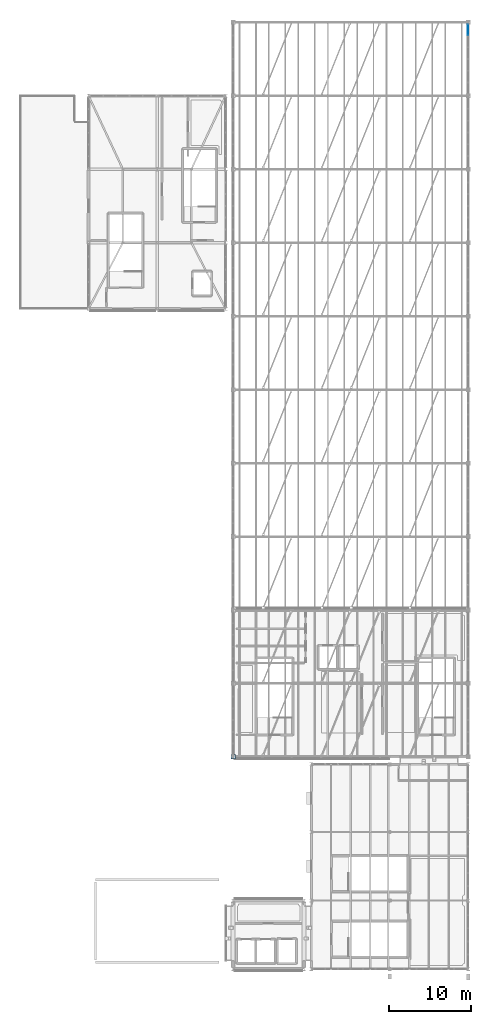
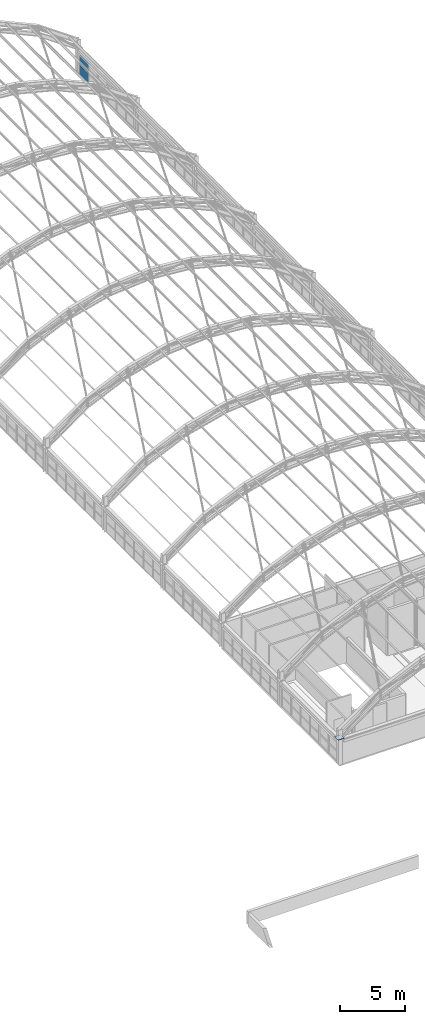
# One storey, part 103 of 121: 3 plates, 1 element without a shape of its own.
"""IFC4 building model written with IfcOpenShell, lengths in metres."""

from ifc_helpers import new_model, si_unit, direction, frame, origin, origin_2d, place, context, subcontext, project, spatial, rectangle, extrude, material, layer, layer_set, type_object, element, aggregate, save


model = new_model("IFC4")

# Units and contexts
model_context = context("Model", 3, precision=1e-05, world=origin(), true_north=direction((0.0, 1.0)))
body_context = subcontext(model_context, "Body", "Model", "MODEL_VIEW")
ifc_project = project(units=[si_unit("LENGTHUNIT", "METRE"), si_unit("AREAUNIT", "SQUARE_METRE"), si_unit("VOLUMEUNIT", "CUBIC_METRE"), si_unit("PLANEANGLEUNIT", "RADIAN"), si_unit("MASSUNIT", "GRAM", prefix="KILO")], contexts=[model_context])

# Site, building, storey
site_placement = place(None, origin())
site = spatial("IfcSite", under=ifc_project, at=site_placement, CompositionType="ELEMENT")
building_placement = place(site_placement, origin())
building = spatial("IfcBuilding", under=site, at=building_placement, Name="Canglan Escarpment Cableway Terminal", CompositionType="ELEMENT")
storey_placement = place(building_placement, frame((0.0, 0.0, 24.60009765625)))
storey = spatial("IfcBuildingStorey", under=building, at=storey_placement, Name="L05", CompositionType="ELEMENT", Elevation=24.60009765625)

# Curtain wall, plates
ifc_material_1 = material(Name="Anodized bronze aluminium and Low-E double glazing", Category="aluminium")
curtain_wall_type = type_object("IfcCurtainWallType", Name="CW-BAY-8650x1950", PredefinedType="NOTDEFINED", material=ifc_material_1)
curtain_wall_placement = place(storey_placement, origin())
curtain_wall = element("IfcCurtainWall", 1, at=curtain_wall_placement, inside=storey, type_object=curtain_wall_type, Name="Classical bay-between-piers glazed curtain wall CW-66", PredefinedType="NOTDEFINED")
ifc_material_2 = material(Name="Double-silver Low-E laminated insulating glass", Category="glass")
ifc_layer_1 = layer(ifc_material_2, 0.031982421875, Name="Double-silver Low-E laminated insulating glass")
ifc_layer_set_1 = layer_set([ifc_layer_1], Name="Double-silver Low-E laminated insulating glass")
plate_type_1 = type_object("IfcPlateType", Name="CWP-03", PredefinedType="CURTAIN_PANEL", material=ifc_layer_set_1)
plate_1_placement = place(storey_placement, frame((166.39990234375, 123.087890625, 0.06005859375), z_axis=(0.0, 0.0, 1.0), x_axis=(0.0, 1.0, 0.0)))
plate_1 = element("IfcPlate", 2, at=plate_1_placement, type_object=plate_type_1, Name="CW-66 panel 6.1", PredefinedType="CURTAIN_PANEL", context=body_context, shape_type="SweptSolid", body=[
    extrude(rectangle(XDim=1.34423828125, YDim=0.031982421875, at=origin_2d()), origin(), (0.0, 0.0, 1.0), 0.885009765625),
])
plate_2_placement = place(storey_placement, frame((166.39990234375, 123.087890625, 1.0048828125), z_axis=(0.0, 0.0, 1.0), x_axis=(0.0, 1.0, 0.0)))
plate_2 = element("IfcPlate", 3, at=plate_2_placement, type_object=plate_type_1, Name="CW-66 panel 6.2", PredefinedType="CURTAIN_PANEL", context=body_context, shape_type="SweptSolid", body=[
    extrude(rectangle(XDim=1.34423828125, YDim=0.031982421875, at=origin_2d()), origin(), (0.0, 0.0, 1.0), 0.885009765625),
])
aggregate(curtain_wall, [plate_1, plate_2])

# Plate
ifc_material_3 = material(Name="Steel Q355B", Category="steel")
ifc_layer_2 = layer(ifc_material_3, 0.031982421875, Name="Steel Q355B")
ifc_layer_set_2 = layer_set([ifc_layer_2], Name="Steel Q355B")
plate_type_2 = type_object("IfcPlateType", Name="PLT-BASE-32", PredefinedType="USERDEFINED", material=ifc_layer_set_2)
plate_3_placement = place(storey_placement, frame((137.60009765625, 34.0, 2.4326171875), z_axis=(0.0, 0.0, 1.0), x_axis=(1.0, 0.0, 0.0)))
element("IfcPlate", 4, at=plate_3_placement, inside=storey, type_object=plate_type_2, Name="Arch springing base plate BP-01", ObjectType="BASE PLATE", PredefinedType="USERDEFINED", context=body_context, shape_type="SweptSolid", body=[
    extrude(rectangle(XDim=0.56005859375, YDim=0.56005859375, at=origin_2d()), origin(), (0.0, 0.0, 1.0), 0.031982421875),
])

save(model, "model.ifc")
